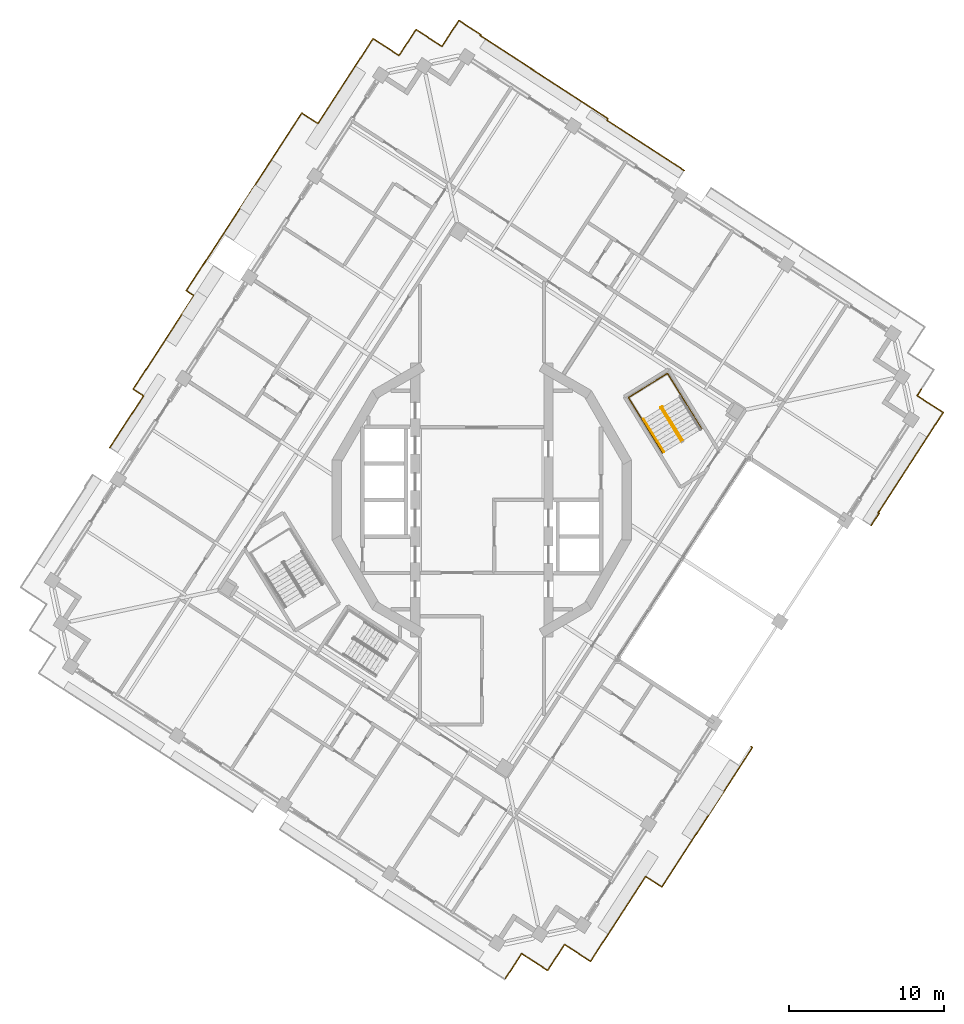
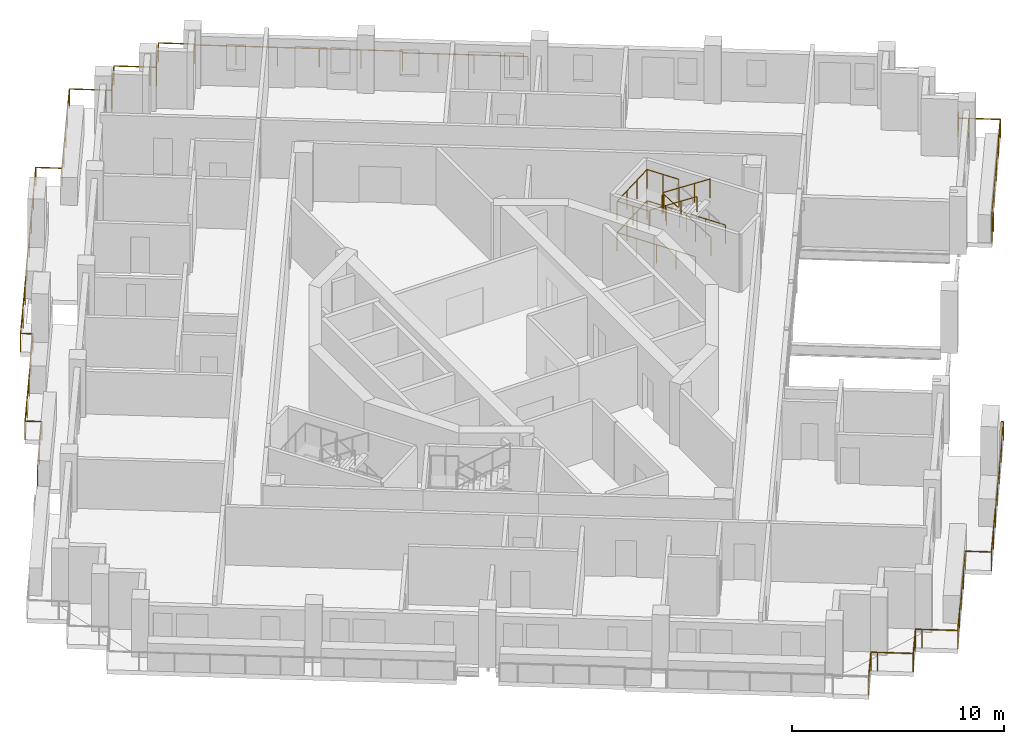
# One storey, part 15 of 17: 9 railings.
"""IFC4 building model written with IfcOpenShell, lengths in metres."""

import ifcopenshell
import ifcopenshell.guid

model = None  # the IFC model being written
_history = None  # IfcOwnerHistory: only IFC2X3 demands one
_inside = {}  # id of a spatial element -> (the spatial element, [elements in it])
_under = {}  # id of a project, library or spatial element -> (it, [spatial elements below it])
_declared = {}  # id of a project -> (the project, [libraries it declares])
_typed = {}  # id of a type object -> (the type object, [elements of that type])
_made_of = {}  # id of a material, layer set ... -> (it, [elements and type objects made of it])


def new_model(schema):
    """Start an empty IFC model of exactly this schema.

    Asked for "IFC4X3", IfcOpenShell would pick the latest addendum, in which some entities
    have other attributes; the version numbers below select the first issue.
    IFC2X3 requires an IfcOwnerHistory on every rooted entity: one is made here for all.
    """
    global model, _history
    if schema == "IFC4X3":
        model = ifcopenshell.file(schema_version=(4, 3, 0, 0))
    else:
        model = ifcopenshell.file(schema=schema)
    _inside.clear()
    _under.clear()
    _declared.clear()
    _typed.clear()
    _made_of.clear()
    _history = None
    if model.schema == "IFC2X3":
        org = make("IfcOrganization", Name="unknown")
        user = make(
            "IfcPersonAndOrganization",
            ThePerson=make("IfcPerson", FamilyName="unknown"),
            TheOrganization=org,
        )
        app = make(
            "IfcApplication",
            ApplicationDeveloper=org,
            Version="unknown",
            ApplicationFullName="unknown",
            ApplicationIdentifier="unknown",
        )
        _history = make(
            "IfcOwnerHistory",
            OwningUser=user,
            OwningApplication=app,
            ChangeAction="ADDED",
            CreationDate=0,
        )
    return model


def make(cls, **values):
    """One entity of the class cls with the attributes given. An attribute that is None is left unset."""
    return model.create_entity(
        cls, **{name: value for name, value in values.items() if value is not None}
    )


def rooted(cls, **values):
    """An entity with a GlobalId (a new one), such as an element, a storey or a relation."""
    return make(cls, GlobalId=ifcopenshell.guid.new(), OwnerHistory=_history, **values)


def si_unit(unit_type, name, prefix=None):
    """IfcSIUnit, for example si_unit("LENGTHUNIT", "METRE", prefix="MILLI")."""
    return make("IfcSIUnit", UnitType=unit_type, Prefix=prefix, Name=name)


def assignment(units):
    """IfcUnitAssignment: the units of a project."""
    return None if units is None else make("IfcUnitAssignment", Units=units)


def point(xyz):
    """IfcCartesianPoint."""
    return None if xyz is None else make("IfcCartesianPoint", Coordinates=xyz)


def direction(xyz):
    """IfcDirection."""
    return None if xyz is None else make("IfcDirection", DirectionRatios=xyz)


def frame(location, z_axis=None, x_axis=None):
    """IfcAxis2Placement3D, a coordinate frame: its origin and axes. An axis left out is left unset."""
    return make(
        "IfcAxis2Placement3D",
        Location=point(location),
        Axis=direction(z_axis),
        RefDirection=direction(x_axis),
    )


def frame_2d(location, x_axis=None):
    """IfcAxis2Placement2D, a coordinate frame in the plane: its origin and x axis."""
    return make(
        "IfcAxis2Placement2D", Location=point(location), RefDirection=direction(x_axis)
    )


def origin():
    """The frame at (0, 0, 0) with its axes left unset."""
    return frame((0.0, 0.0, 0.0))


def origin_2d():
    """The frame at (0, 0) in the plane with its x axis left unset."""
    return frame_2d((0.0, 0.0))


def place(relative_to, where):
    """IfcLocalPlacement: puts the frame where relative to a parent placement (None: the world)."""
    return make(
        "IfcLocalPlacement", PlacementRelTo=relative_to, RelativePlacement=where
    )


def context(
    kind, dimensions, precision=None, world=None, true_north=None, identifier=None
):
    """IfcGeometricRepresentationContext, for example the 3D "Model" context."""
    return make(
        "IfcGeometricRepresentationContext",
        ContextIdentifier=identifier,
        ContextType=kind,
        CoordinateSpaceDimension=dimensions,
        Precision=precision,
        WorldCoordinateSystem=world,
        TrueNorth=true_north,
    )


def subcontext(parent, identifier, kind, view, scale=None):
    """IfcGeometricRepresentationSubContext, for example "Body" below "Model"."""
    return make(
        "IfcGeometricRepresentationSubContext",
        ContextIdentifier=identifier,
        ContextType=kind,
        ParentContext=parent,
        TargetScale=scale,
        TargetView=view,
    )


def project(units=None, contexts=None):
    """IfcProject with its units and contexts."""
    return rooted(
        "IfcProject",
        Name="project",
        RepresentationContexts=contexts,
        UnitsInContext=assignment(units),
    )


def spatial(cls, under=None, at=None, **own):
    """A site, building, storey or space (cls), placed at a placement, below another one or the project."""
    s = rooted(cls, ObjectPlacement=at, **own)
    if under is not None:
        _under.setdefault(under.id(), (under, []))[1].append(s)
    return s


def profile(cls, at=None, kind="AREA", **sizes):
    """A parametric profile (cls). Its sizes go by their IFC names, for example OverallWidth=200.0."""
    return make(cls, ProfileType=kind, Position=at, **sizes)


def circle(**sizes):
    """IfcCircleProfileDef."""
    return profile("IfcCircleProfileDef", **sizes)


def extrude(swept, where, along, depth):
    """IfcExtrudedAreaSolid: the profile swept, set in the frame where, extruded along a direction by depth."""
    return make(
        "IfcExtrudedAreaSolid",
        SweptArea=swept,
        Position=where,
        ExtrudedDirection=direction(along),
        Depth=depth,
    )


def shape(context_of_items, identifier, shape_type, items):
    """IfcShapeRepresentation: the items that make up one representation, for example the "Body"."""
    return make(
        "IfcShapeRepresentation",
        ContextOfItems=context_of_items,
        RepresentationIdentifier=identifier,
        RepresentationType=shape_type,
        Items=items,
    )


def material(Name=None, Category=None):
    """IfcMaterial."""
    return make("IfcMaterial", Name=Name, Category=Category)


def made_of(thing, what):
    """Note that an element or type object is made of a material, layer set ...; save() writes the relation."""
    if what is not None:
        _made_of.setdefault(what.id(), (what, []))[1].append(thing)
    return thing


def type_object(cls, material=None, **own):
    """A type object (cls), such as IfcWallType, which elements share."""
    return made_of(rooted(cls, **own), material)


def element(
    cls,
    number,
    at=None,
    inside=None,
    cuts=None,
    type_object=None,
    material=None,
    context=None,
    identifier="Body",
    shape_type=None,
    held_by="IfcProductDefinitionShape",
    body=None,
    shapes=None,
    **own,
):
    """One element of the class cls, such as IfcWall. Its Tag is "e" and its number.

    at: its placement. inside: the storey or other place that contains it. cuts: it is an
    opening in that element (IfcRelVoidsElement). A single representation is given by context,
    identifier, shape_type and body (its items); several are given by shapes. held_by: the class
    of the entity that holds the representations. save() writes the other relations.
    """
    e = rooted(cls, Tag="e%d" % number, ObjectPlacement=at, **own)
    if body is not None:
        shapes = [shape(context, identifier, shape_type, body)]
    if shapes is not None:
        e.Representation = make(held_by, Representations=shapes)
    if inside is not None:
        _inside.setdefault(inside.id(), (inside, []))[1].append(e)
    if cuts is not None:
        rooted(
            "IfcRelVoidsElement", RelatingBuildingElement=cuts, RelatedOpeningElement=e
        )
    if type_object is not None:
        _typed.setdefault(type_object.id(), (type_object, []))[1].append(e)
    return made_of(e, material)


def aggregate(whole, parts):
    """IfcRelAggregates: a whole, such as a stair, and the parts it consists of."""
    return rooted("IfcRelAggregates", RelatingObject=whole, RelatedObjects=parts)


def save(model, path):
    """Write the relations noted so far, then the file.

    IfcRelAggregates (storeys below a building ...), IfcRelContainedInSpatialStructure (elements
    in a storey), IfcRelDefinesByType, IfcRelAssociatesMaterial and IfcRelDeclares: one each for
    every whole, place, type object, material and project.
    """
    for whole, parts in _under.values():
        aggregate(whole, parts)
    for where, things in _inside.values():
        rooted(
            "IfcRelContainedInSpatialStructure",
            RelatedElements=things,
            RelatingStructure=where,
        )
    for kind, things in _typed.values():
        rooted("IfcRelDefinesByType", RelatedObjects=things, RelatingType=kind)
    for what, things in _made_of.values():
        rooted("IfcRelAssociatesMaterial", RelatedObjects=things, RelatingMaterial=what)
    for by, libraries in _declared.values():
        rooted("IfcRelDeclares", RelatingContext=by, RelatedDefinitions=libraries)
    model.write(path)


model = new_model("IFC4")

# Units and contexts
model_context = context("Model", 3, precision=1e-05, world=origin(), true_north=direction((0.0, 1.0)))
body_context = subcontext(model_context, "Body", "Model", "MODEL_VIEW")
ifc_project = project(units=[si_unit("LENGTHUNIT", "METRE"), si_unit("AREAUNIT", "SQUARE_METRE"), si_unit("VOLUMEUNIT", "CUBIC_METRE"), si_unit("PLANEANGLEUNIT", "RADIAN"), si_unit("MASSUNIT", "GRAM", prefix="KILO")], contexts=[model_context])

# Site, building, storey
site_placement = place(None, origin())
site = spatial("IfcSite", under=ifc_project, at=site_placement, CompositionType="ELEMENT")
building_placement = place(site_placement, origin())
building = spatial("IfcBuilding", under=site, at=building_placement, Name="Cantera Rosa Tower", CompositionType="ELEMENT")
storey_placement = place(building_placement, frame((0.0, 0.0, 268.5)))
storey = spatial("IfcBuildingStorey", under=building, at=storey_placement, Name="L60", CompositionType="ELEMENT", Elevation=268.5)

# Railings
ifc_material_1 = material(Name="Stainless steel and laminated glass", Category="steel")
railing_type_1 = type_object("IfcRailingType", Name="GUARD 1100", PredefinedType="BALUSTRADE", material=ifc_material_1)
railing_1_placement = place(storey_placement, frame((-5.58984375, 28.8486328125, 0.0)))
element("IfcRailing", 1, at=railing_1_placement, inside=storey, type_object=railing_type_1, Name="GUARD L60-3", PredefinedType="BALUSTRADE", context=body_context, shape_type="SweptSolid", body=[
    extrude(circle(Radius=0.030029296875, at=origin_2d()), frame((0.0, 0.0, 1.070068359375), z_axis=(0.838499355694, -0.544902588084, 0.0), x_axis=(0.544902588084, 0.838499355694, 0.0)), (0.0, 0.0, 1.0), 0.30029296875),
    extrude(circle(Radius=0.030029296875, at=origin_2d()), frame((0.251708984375, -0.16357421875, 1.070068359375), z_axis=(0.5443304008, 0.838870916629, 0.0), x_axis=(-0.838870916629, 0.5443304008, 0.0)), (0.0, 0.0, 1.0), 0.300048828125),
    extrude(circle(Radius=0.030029296875, at=origin_2d()), frame((0.4150390625, 0.088134765625, 1.070068359375), z_axis=(0.544685462014, 0.838640416073, 0.0), x_axis=(-0.838640416073, 0.544685462014, 0.0)), (0.0, 0.0, 1.0), 1.7001953125),
    extrude(circle(Radius=0.030029296875, at=origin_2d()), frame((1.341064453125, 1.513916015625, 1.070068359375), z_axis=(0.83859780397, -0.544751065329, 0.0), x_axis=(0.544751065329, 0.83859780397, 0.0)), (0.0, 0.0, 1.0), 1.699951171875),
    extrude(circle(Radius=0.030029296875, at=origin_2d()), frame((2.7666015625, 0.587890625, 1.070068359375), z_axis=(0.838870916629, -0.5443304008, 0.0), x_axis=(0.5443304008, 0.838870916629, 0.0)), (0.0, 0.0, 1.0), 0.300048828125),
    extrude(circle(Radius=0.030029296875, at=origin_2d()), frame((3.018310546875, 0.424560546875, 1.070068359375), z_axis=(0.54468796124, 0.838638792855, 0.0), x_axis=(-0.838638792855, 0.54468796124, 0.0)), (0.0, 0.0, 1.0), 2.0),
    extrude(circle(Radius=0.030029296875, at=origin_2d()), frame((4.107666015625, 2.101806640625, 1.070068359375), z_axis=(0.838663412569, -0.54465005317, 0.0), x_axis=(0.54465005317, 0.838663412569, 0.0)), (0.0, 0.0, 1.0), 1.69970703125),
    extrude(circle(Radius=0.030029296875, at=origin_2d()), frame((5.533203125, 1.176025390625, 1.070068359375), z_axis=(-0.54339569987, -0.839476690184, 0.0), x_axis=(0.839476690184, -0.54339569987, 0.0)), (0.0, 0.0, 1.0), 0.070068359375),
    extrude(circle(Radius=0.030029296875, at=origin_2d()), frame((5.4951171875, 1.1171875, 1.070068359375), z_axis=(0.838672787013, -0.544635617935, 0.0), x_axis=(0.544635617935, 0.838672787013, 0.0)), (0.0, 0.0, 1.0), 9.830078125),
    extrude(circle(Radius=0.030029296875, at=origin_2d()), frame((13.7392578125, -4.236572265625, 1.070068359375), z_axis=(-0.545120486239, -0.83835771332, 0.0), x_axis=(0.83835771332, -0.545120486239, 0.0)), (0.0, 0.0, 1.0), 0.1298828125),
    extrude(circle(Radius=0.030029296875, at=origin_2d()), frame((13.66845703125, -4.345458984375, 1.070068359375), z_axis=(0.838664674471, -0.544648110062, 0.0), x_axis=(0.544648110062, 0.838664674471, 0.0)), (0.0, 0.0, 1.0), 5.0703125),
    extrude(circle(Radius=0.030029296875, at=origin_2d()), frame((17.920654296875, -7.10693359375, 1.070068359375), z_axis=(0.838725681888, -0.544554157584, 0.0), x_axis=(0.544554157584, 0.838725681888, 0.0)), (0.0, 0.0, 1.0), 0.869873046875),
    extrude(circle(Radius=0.02490234375, at=origin_2d()), origin(), (0.0, 0.0, 1.0), 1.0400390625),
    extrude(circle(Radius=0.02490234375, at=origin_2d()), frame((0.251708984375, -0.16357421875, 0.0)), (0.0, 0.0, 1.0), 1.0400390625),
    extrude(circle(Radius=0.02490234375, at=origin_2d()), frame((0.4150390625, 0.088134765625, 0.0)), (0.0, 0.0, 1.0), 1.0400390625),
    extrude(circle(Radius=0.02490234375, at=origin_2d()), frame((1.341064453125, 1.513916015625, 0.0)), (0.0, 0.0, 1.0), 1.0400390625),
    extrude(circle(Radius=0.02490234375, at=origin_2d()), frame((2.7666015625, 0.587890625, 0.0)), (0.0, 0.0, 1.0), 1.0400390625),
    extrude(circle(Radius=0.02490234375, at=origin_2d()), frame((3.018310546875, 0.424560546875, 0.0)), (0.0, 0.0, 1.0), 1.0400390625),
    extrude(circle(Radius=0.02490234375, at=origin_2d()), frame((4.107666015625, 2.101806640625, 0.0)), (0.0, 0.0, 1.0), 1.0400390625),
    extrude(circle(Radius=0.02490234375, at=origin_2d()), frame((5.533203125, 1.176025390625, 0.0)), (0.0, 0.0, 1.0), 1.0400390625),
    extrude(circle(Radius=0.02490234375, at=origin_2d()), frame((5.4951171875, 1.1171875, 0.0)), (0.0, 0.0, 1.0), 1.0400390625),
    extrude(circle(Radius=0.02490234375, at=origin_2d()), frame((7.14404296875, 0.04638671875, 0.0)), (0.0, 0.0, 1.0), 1.0400390625),
    extrude(circle(Radius=0.02490234375, at=origin_2d()), frame((8.792724609375, -1.0244140625, 0.0)), (0.0, 0.0, 1.0), 1.0400390625),
    extrude(circle(Radius=0.02490234375, at=origin_2d()), frame((10.441650390625, -2.094970703125, 0.0)), (0.0, 0.0, 1.0), 1.0400390625),
    extrude(circle(Radius=0.02490234375, at=origin_2d()), frame((12.09033203125, -3.165771484375, 0.0)), (0.0, 0.0, 1.0), 1.0400390625),
    extrude(circle(Radius=0.02490234375, at=origin_2d()), frame((13.7392578125, -4.236572265625, 0.0)), (0.0, 0.0, 1.0), 1.0400390625),
    extrude(circle(Radius=0.02490234375, at=origin_2d()), frame((13.66845703125, -4.345458984375, 0.0)), (0.0, 0.0, 1.0), 1.0400390625),
    extrude(circle(Radius=0.02490234375, at=origin_2d()), frame((15.0859375, -5.265869140625, 0.0)), (0.0, 0.0, 1.0), 1.0400390625),
    extrude(circle(Radius=0.02490234375, at=origin_2d()), frame((16.503173828125, -6.1865234375, 0.0)), (0.0, 0.0, 1.0), 1.0400390625),
    extrude(circle(Radius=0.02490234375, at=origin_2d()), frame((17.920654296875, -7.10693359375, 0.0)), (0.0, 0.0, 1.0), 1.0400390625),
    extrude(circle(Radius=0.02490234375, at=origin_2d()), frame((18.650146484375, -7.58056640625, 0.0)), (0.0, 0.0, 1.0), 1.0400390625),
])
railing_2_placement = place(storey_placement, frame((-24.00390625, 3.37841796875, 0.0)))
element("IfcRailing", 2, at=railing_2_placement, inside=storey, type_object=railing_type_1, Name="GUARD L60-4", PredefinedType="BALUSTRADE", context=body_context, shape_type="SweptSolid", body=[
    extrude(circle(Radius=0.030029296875, at=origin_2d()), frame((0.0, 0.0, 1.070068359375), z_axis=(0.544618301385, 0.838684032158, 0.0), x_axis=(-0.838684032158, 0.544618301385, 0.0)), (0.0, 0.0, 1.0), 3.9892578125),
    extrude(circle(Radius=0.030029296875, at=origin_2d()), frame((2.172607421875, 3.345703125, 1.070068359375), z_axis=(-0.838697885351, 0.54459696759, 0.0), x_axis=(-0.54459696759, -0.838697885351, 0.0)), (0.0, 0.0, 1.0), 0.78955078125),
    extrude(circle(Radius=0.030029296875, at=origin_2d()), frame((1.510498046875, 3.775634765625, 1.070068359375), z_axis=(0.544649472572, 0.838663789624, 0.0), x_axis=(-0.838663789624, 0.544649472572, 0.0)), (0.0, 0.0, 1.0), 7.192626953125),
    extrude(circle(Radius=0.030029296875, at=origin_2d()), frame((5.427978515625, 9.807861328125, 1.070068359375), z_axis=(-0.838766340753, 0.544491529429, 0.0), x_axis=(-0.544491529429, -0.838766340753, 0.0)), (0.0, 0.0, 1.0), 0.58740234375),
    extrude(circle(Radius=0.030029296875, at=origin_2d()), frame((4.935302734375, 10.127685546875, 1.070068359375), z_axis=(0.544641318497, 0.838669085031, 0.0), x_axis=(-0.838669085031, 0.544641318497, 0.0)), (0.0, 0.0, 1.0), 13.676513671875),
    extrude(circle(Radius=0.030029296875, at=origin_2d()), frame((12.384033203125, 21.59765625, 1.070068359375), z_axis=(0.838729508859, -0.544548263214, 0.0), x_axis=(0.544548263214, 0.838729508859, 0.0)), (0.0, 0.0, 1.0), 1.248046875),
    extrude(circle(Radius=0.030029296875, at=origin_2d()), frame((13.430908203125, 20.91796875, 1.070068359375), z_axis=(0.544643753579, 0.838667503655, 0.0), x_axis=(-0.838667503655, 0.544643753579, 0.0)), (0.0, 0.0, 1.0), 4.831787109375),
    extrude(circle(Radius=0.030029296875, at=origin_2d()), frame((16.0625, 24.97021484375, 1.070068359375), z_axis=(0.544584451758, 0.838706012202, 0.0), x_axis=(-0.838706012202, 0.544584451758, 0.0)), (0.0, 0.0, 1.0), 1.699951171875),
    extrude(circle(Radius=0.030029296875, at=origin_2d()), frame((16.98828125, 26.39599609375, 1.070068359375), z_axis=(0.838706012202, -0.544584451758, 0.0), x_axis=(0.544584451758, 0.838706012202, 0.0)), (0.0, 0.0, 1.0), 1.699951171875),
    extrude(circle(Radius=0.02490234375, at=origin_2d()), origin(), (0.0, 0.0, 1.0), 1.0400390625),
    extrude(circle(Radius=0.02490234375, at=origin_2d()), frame((1.08642578125, 1.6728515625, 0.0)), (0.0, 0.0, 1.0), 1.0400390625),
    extrude(circle(Radius=0.02490234375, at=origin_2d()), frame((2.172607421875, 3.345703125, 0.0)), (0.0, 0.0, 1.0), 1.0400390625),
    extrude(circle(Radius=0.02490234375, at=origin_2d()), frame((1.510498046875, 3.775634765625, 0.0)), (0.0, 0.0, 1.0), 1.0400390625),
    extrude(circle(Radius=0.02490234375, at=origin_2d()), frame((2.48974609375, 5.28369140625, 0.0)), (0.0, 0.0, 1.0), 1.0400390625),
    extrude(circle(Radius=0.02490234375, at=origin_2d()), frame((3.46923828125, 6.791748046875, 0.0)), (0.0, 0.0, 1.0), 1.0400390625),
    extrude(circle(Radius=0.02490234375, at=origin_2d()), frame((4.44873046875, 8.2998046875, 0.0)), (0.0, 0.0, 1.0), 1.0400390625),
    extrude(circle(Radius=0.02490234375, at=origin_2d()), frame((5.427978515625, 9.807861328125, 0.0)), (0.0, 0.0, 1.0), 1.0400390625),
    extrude(circle(Radius=0.02490234375, at=origin_2d()), frame((4.935302734375, 10.127685546875, 0.0)), (0.0, 0.0, 1.0), 1.0400390625),
    extrude(circle(Radius=0.02490234375, at=origin_2d()), frame((5.99951171875, 11.766357421875, 0.0)), (0.0, 0.0, 1.0), 1.0400390625),
    extrude(circle(Radius=0.02490234375, at=origin_2d()), frame((7.0634765625, 13.40478515625, 0.0)), (0.0, 0.0, 1.0), 1.0400390625),
    extrude(circle(Radius=0.02490234375, at=origin_2d()), frame((8.127685546875, 15.04345703125, 0.0)), (0.0, 0.0, 1.0), 1.0400390625),
    extrude(circle(Radius=0.02490234375, at=origin_2d()), frame((9.191650390625, 16.681884765625, 0.0)), (0.0, 0.0, 1.0), 1.0400390625),
    extrude(circle(Radius=0.02490234375, at=origin_2d()), frame((10.255859375, 18.320556640625, 0.0)), (0.0, 0.0, 1.0), 1.0400390625),
    extrude(circle(Radius=0.02490234375, at=origin_2d()), frame((11.31982421875, 19.958984375, 0.0)), (0.0, 0.0, 1.0), 1.0400390625),
    extrude(circle(Radius=0.02490234375, at=origin_2d()), frame((12.384033203125, 21.59765625, 0.0)), (0.0, 0.0, 1.0), 1.0400390625),
    extrude(circle(Radius=0.02490234375, at=origin_2d()), frame((13.430908203125, 20.91796875, 0.0)), (0.0, 0.0, 1.0), 1.0400390625),
    extrude(circle(Radius=0.02490234375, at=origin_2d()), frame((14.30810546875, 22.268798828125, 0.0)), (0.0, 0.0, 1.0), 1.0400390625),
    extrude(circle(Radius=0.02490234375, at=origin_2d()), frame((15.185302734375, 23.619384765625, 0.0)), (0.0, 0.0, 1.0), 1.0400390625),
    extrude(circle(Radius=0.02490234375, at=origin_2d()), frame((16.0625, 24.97021484375, 0.0)), (0.0, 0.0, 1.0), 1.0400390625),
    extrude(circle(Radius=0.02490234375, at=origin_2d()), frame((16.98828125, 26.39599609375, 0.0)), (0.0, 0.0, 1.0), 1.0400390625),
    extrude(circle(Radius=0.02490234375, at=origin_2d()), frame((18.4140625, 25.47021484375, 0.0)), (0.0, 0.0, 1.0), 1.0400390625),
])
railing_3_placement = place(storey_placement, frame((17.36376953125, -15.914306640625, 0.0)))
element("IfcRailing", 3, at=railing_3_placement, inside=storey, type_object=railing_type_1, Name="GUARD L60-6", PredefinedType="BALUSTRADE", context=body_context, shape_type="SweptSolid", body=[
    extrude(circle(Radius=0.030029296875, at=origin_2d()), frame((0.0, 0.0, 1.070068359375), z_axis=(0.838349249797, -0.545133502331, 0.0), x_axis=(0.545133502331, 0.838349249797, 0.0)), (0.0, 0.0, 1.0), 0.1181640625),
    extrude(circle(Radius=0.030029296875, at=origin_2d()), frame((0.09912109375, -0.064453125, 1.070068359375), z_axis=(-0.544645149011, -0.838666597438, 0.0), x_axis=(0.838666597438, -0.544645149011, 0.0)), (0.0, 0.0, 1.0), 10.72802734375),
    extrude(circle(Radius=0.030029296875, at=origin_2d()), frame((-5.743896484375, -9.061767578125, 1.070068359375), z_axis=(-0.838729508859, 0.544548263214, 0.0), x_axis=(-0.544548263214, -0.838729508859, 0.0)), (0.0, 0.0, 1.0), 1.248046875),
    extrude(circle(Radius=0.030029296875, at=origin_2d()), frame((-6.790771484375, -8.382080078125, 1.070068359375), z_axis=(-0.544643753579, -0.838667503655, 0.0), x_axis=(0.838667503655, -0.544643753579, 0.0)), (0.0, 0.0, 1.0), 4.831787109375),
    extrude(circle(Radius=0.030029296875, at=origin_2d()), frame((-9.42236328125, -12.434326171875, 1.070068359375), z_axis=(-0.544584451758, -0.838706012202, 0.0), x_axis=(0.838706012202, -0.544584451758, 0.0)), (0.0, 0.0, 1.0), 1.699951171875),
    extrude(circle(Radius=0.030029296875, at=origin_2d()), frame((-10.34814453125, -13.860107421875, 1.070068359375), z_axis=(-0.838706012202, 0.544584451758, 0.0), x_axis=(-0.544584451758, -0.838706012202, 0.0)), (0.0, 0.0, 1.0), 1.699951171875),
    extrude(circle(Radius=0.030029296875, at=origin_2d()), frame((-11.77392578125, -12.934326171875, 1.070068359375), z_axis=(-0.838499355694, 0.544902588084, 0.0), x_axis=(-0.544902588084, -0.838499355694, 0.0)), (0.0, 0.0, 1.0), 0.30029296875),
    extrude(circle(Radius=0.030029296875, at=origin_2d()), frame((-12.025634765625, -12.770751953125, 1.070068359375), z_axis=(-0.5443304008, -0.838870916629, 0.0), x_axis=(0.838870916629, -0.5443304008, 0.0)), (0.0, 0.0, 1.0), 0.300048828125),
    extrude(circle(Radius=0.030029296875, at=origin_2d()), frame((-12.18896484375, -13.0224609375, 1.070068359375), z_axis=(-0.544685462014, -0.838640416073, 0.0), x_axis=(0.838640416073, -0.544685462014, 0.0)), (0.0, 0.0, 1.0), 1.7001953125),
    extrude(circle(Radius=0.030029296875, at=origin_2d()), frame((-13.114990234375, -14.4482421875, 1.070068359375), z_axis=(-0.83859780397, 0.544751065329, 0.0), x_axis=(-0.544751065329, -0.83859780397, 0.0)), (0.0, 0.0, 1.0), 1.699951171875),
    extrude(circle(Radius=0.030029296875, at=origin_2d()), frame((-14.54052734375, -13.522216796875, 1.070068359375), z_axis=(-0.838870916629, 0.5443304008, 0.0), x_axis=(-0.5443304008, -0.838870916629, 0.0)), (0.0, 0.0, 1.0), 0.300048828125),
    extrude(circle(Radius=0.030029296875, at=origin_2d()), frame((-14.792236328125, -13.35888671875, 1.070068359375), z_axis=(-0.54468796124, -0.838638792855, 0.0), x_axis=(0.838638792855, -0.54468796124, 0.0)), (0.0, 0.0, 1.0), 2.0),
    extrude(circle(Radius=0.02490234375, at=origin_2d()), origin(), (0.0, 0.0, 1.0), 1.0400390625),
    extrude(circle(Radius=0.02490234375, at=origin_2d()), frame((0.09912109375, -0.064453125, 0.0)), (0.0, 0.0, 1.0), 1.0400390625),
    extrude(circle(Radius=0.02490234375, at=origin_2d()), frame((-0.874755859375, -1.56396484375, 0.0)), (0.0, 0.0, 1.0), 1.0400390625),
    extrude(circle(Radius=0.02490234375, at=origin_2d()), frame((-1.8486328125, -3.0634765625, 0.0)), (0.0, 0.0, 1.0), 1.0400390625),
    extrude(circle(Radius=0.02490234375, at=origin_2d()), frame((-2.822265625, -4.56298828125, 0.0)), (0.0, 0.0, 1.0), 1.0400390625),
    extrude(circle(Radius=0.02490234375, at=origin_2d()), frame((-3.796142578125, -6.062744140625, 0.0)), (0.0, 0.0, 1.0), 1.0400390625),
    extrude(circle(Radius=0.02490234375, at=origin_2d()), frame((-4.77001953125, -7.562255859375, 0.0)), (0.0, 0.0, 1.0), 1.0400390625),
    extrude(circle(Radius=0.02490234375, at=origin_2d()), frame((-5.743896484375, -9.061767578125, 0.0)), (0.0, 0.0, 1.0), 1.0400390625),
    extrude(circle(Radius=0.02490234375, at=origin_2d()), frame((-6.790771484375, -8.382080078125, 0.0)), (0.0, 0.0, 1.0), 1.0400390625),
    extrude(circle(Radius=0.02490234375, at=origin_2d()), frame((-7.66796875, -9.73291015625, 0.0)), (0.0, 0.0, 1.0), 1.0400390625),
    extrude(circle(Radius=0.02490234375, at=origin_2d()), frame((-8.545166015625, -11.08349609375, 0.0)), (0.0, 0.0, 1.0), 1.0400390625),
    extrude(circle(Radius=0.02490234375, at=origin_2d()), frame((-9.42236328125, -12.434326171875, 0.0)), (0.0, 0.0, 1.0), 1.0400390625),
    extrude(circle(Radius=0.02490234375, at=origin_2d()), frame((-10.34814453125, -13.860107421875, 0.0)), (0.0, 0.0, 1.0), 1.0400390625),
    extrude(circle(Radius=0.02490234375, at=origin_2d()), frame((-11.77392578125, -12.934326171875, 0.0)), (0.0, 0.0, 1.0), 1.0400390625),
    extrude(circle(Radius=0.02490234375, at=origin_2d()), frame((-12.025634765625, -12.770751953125, 0.0)), (0.0, 0.0, 1.0), 1.0400390625),
    extrude(circle(Radius=0.02490234375, at=origin_2d()), frame((-12.18896484375, -13.0224609375, 0.0)), (0.0, 0.0, 1.0), 1.0400390625),
    extrude(circle(Radius=0.02490234375, at=origin_2d()), frame((-13.114990234375, -14.4482421875, 0.0)), (0.0, 0.0, 1.0), 1.0400390625),
    extrude(circle(Radius=0.02490234375, at=origin_2d()), frame((-14.54052734375, -13.522216796875, 0.0)), (0.0, 0.0, 1.0), 1.0400390625),
    extrude(circle(Radius=0.02490234375, at=origin_2d()), frame((-14.792236328125, -13.35888671875, 0.0)), (0.0, 0.0, 1.0), 1.0400390625),
    extrude(circle(Radius=0.02490234375, at=origin_2d()), frame((-15.881591796875, -15.0361328125, 0.0)), (0.0, 0.0, 1.0), 1.0400390625),
])
railing_4_placement = place(storey_placement, frame((28.3720703125, 7.151123046875, 0.0)))
element("IfcRailing", 4, at=railing_4_placement, inside=storey, type_object=railing_type_1, Name="GUARD L60-7", PredefinedType="BALUSTRADE", context=body_context, shape_type="SweptSolid", body=[
    extrude(circle(Radius=0.030029296875, at=origin_2d()), frame((0.0, 0.0, 1.070068359375), z_axis=(-0.544627753175, -0.83867789435, 0.0), x_axis=(0.83867789435, -0.544627753175, 0.0)), (0.0, 0.0, 1.0), 0.499755859375),
    extrude(circle(Radius=0.030029296875, at=origin_2d()), frame((-0.272216796875, -0.419189453125, 1.070068359375), z_axis=(0.838454772945, -0.544971186143, 0.0), x_axis=(0.544971186143, 0.838454772945, 0.0)), (0.0, 0.0, 1.0), 0.5),
    extrude(circle(Radius=0.030029296875, at=origin_2d()), frame((0.14697265625, -0.691650390625, 1.070068359375), z_axis=(0.8387001057, -0.544593548161, 0.0), x_axis=(0.544593548161, 0.8387001057, 0.0)), (0.0, 0.0, 1.0), 1.5),
    extrude(circle(Radius=0.030029296875, at=origin_2d()), frame((1.405029296875, -1.508544921875, 1.070068359375), z_axis=(-0.544593548161, -0.8387001057, 0.0), x_axis=(0.8387001057, -0.544593548161, 0.0)), (0.0, 0.0, 1.0), 1.5),
    extrude(circle(Radius=0.030029296875, at=origin_2d()), frame((0.588134765625, -2.7666015625, 1.070068359375), z_axis=(-0.544651062083, -0.838662757354, 0.0), x_axis=(0.838662757354, -0.544651062083, 0.0)), (0.0, 0.0, 1.0), 6.208740234375),
    extrude(circle(Radius=0.030029296875, at=origin_2d()), frame((-2.79345703125, -7.9736328125, 1.070068359375), z_axis=(0.839844835389, -0.542826539947, 0.0), x_axis=(0.542826539947, 0.839844835389, 0.0)), (0.0, 0.0, 1.0), 0.071533203125),
    extrude(circle(Radius=0.030029296875, at=origin_2d()), frame((-2.7333984375, -8.012451171875, 1.070068359375), z_axis=(-0.544605442853, -0.838692381994, 0.0), x_axis=(0.838692381994, -0.544605442853, 0.0)), (0.0, 0.0, 1.0), 0.94140625),
    extrude(circle(Radius=0.02490234375, at=origin_2d()), origin(), (0.0, 0.0, 1.0), 1.0400390625),
    extrude(circle(Radius=0.02490234375, at=origin_2d()), frame((-0.272216796875, -0.419189453125, 0.0)), (0.0, 0.0, 1.0), 1.0400390625),
    extrude(circle(Radius=0.02490234375, at=origin_2d()), frame((0.14697265625, -0.691650390625, 0.0)), (0.0, 0.0, 1.0), 1.0400390625),
    extrude(circle(Radius=0.02490234375, at=origin_2d()), frame((1.405029296875, -1.508544921875, 0.0)), (0.0, 0.0, 1.0), 1.0400390625),
    extrude(circle(Radius=0.02490234375, at=origin_2d()), frame((0.588134765625, -2.7666015625, 0.0)), (0.0, 0.0, 1.0), 1.0400390625),
    extrude(circle(Radius=0.02490234375, at=origin_2d()), frame((-0.5390625, -4.502197265625, 0.0)), (0.0, 0.0, 1.0), 1.0400390625),
    extrude(circle(Radius=0.02490234375, at=origin_2d()), frame((-1.666259765625, -6.238037109375, 0.0)), (0.0, 0.0, 1.0), 1.0400390625),
    extrude(circle(Radius=0.02490234375, at=origin_2d()), frame((-2.79345703125, -7.9736328125, 0.0)), (0.0, 0.0, 1.0), 1.0400390625),
    extrude(circle(Radius=0.02490234375, at=origin_2d()), frame((-2.7333984375, -8.012451171875, 0.0)), (0.0, 0.0, 1.0), 1.0400390625),
    extrude(circle(Radius=0.02490234375, at=origin_2d()), frame((-3.24609375, -8.802001953125, 0.0)), (0.0, 0.0, 1.0), 1.0400390625),
])
ifc_material_2 = material(Name="Steel S355J2 (EN 10025-2)", Category="steel")
railing_type_2 = type_object("IfcRailingType", Name="STAIR GUARD 1100", PredefinedType="GUARDRAIL", material=ifc_material_2)
railing_5_placement = place(storey_placement, frame((12.9765625, 3.834228515625, 0.179931640625)))
element("IfcRailing", 5, at=railing_5_placement, inside=storey, type_object=railing_type_2, Name="L60 ST-51 stair guard 1", PredefinedType="GUARDRAIL", context=body_context, shape_type="SweptSolid", body=[
    extrude(circle(Radius=0.02392578125, at=origin_2d()), frame((0.0, 0.0, 1.076171875), z_axis=(-0.44154346381, 0.715939337315, 0.540805172729), x_axis=(-0.851145618652, -0.524929648476, 0.0)), (0.0, 0.0, 1.0), 2.995849609375),
    extrude(circle(Radius=0.02392578125, at=origin_2d()), frame((-1.32275390625, 2.144775390625, 2.6962890625), z_axis=(-0.073711968402, 0.997279572494, 0.0), x_axis=(-0.997279572494, -0.073711968402, 0.0)), (0.0, 0.0, 1.0), 0.056396484375),
    extrude(circle(Radius=0.02392578125, at=origin_2d()), frame((-1.326904296875, 2.200927734375, 2.6962890625), z_axis=(-0.851546489876, -0.524279100842, 0.0), x_axis=(0.524279100842, -0.851546489876, 0.0)), (0.0, 0.0, 1.0), 0.14990234375),
    extrude(circle(Radius=0.02099609375, at=origin_2d()), origin(), (0.0, 0.0, 1.0), 1.052001953125),
    extrude(circle(Radius=0.02099609375, at=origin_2d()), frame((-0.44091796875, 0.71484375, 0.5400390625)), (0.0, 0.0, 1.0), 1.052001953125),
    extrude(circle(Radius=0.02099609375, at=origin_2d()), frame((-0.8818359375, 1.429931640625, 1.080078125)), (0.0, 0.0, 1.0), 1.052001953125),
    extrude(circle(Radius=0.02099609375, at=origin_2d()), frame((-1.32275390625, 2.144775390625, 1.6201171875)), (0.0, 0.0, 1.0), 1.052001953125),
    extrude(circle(Radius=0.02099609375, at=origin_2d()), frame((-1.326904296875, 2.200927734375, 1.6201171875)), (0.0, 0.0, 1.0), 1.052001953125),
    extrude(circle(Radius=0.02099609375, at=origin_2d()), frame((-1.45458984375, 2.122314453125, 1.6201171875)), (0.0, 0.0, 1.0), 1.052001953125),
])
railing_6_placement = place(storey_placement, frame((11.5703125, 5.927490234375, 1.97998046875)))
element("IfcRailing", 6, at=railing_6_placement, inside=storey, type_object=railing_type_2, Name="L60 ST-51 stair guard 2", PredefinedType="GUARDRAIL", context=body_context, shape_type="SweptSolid", body=[
    extrude(circle(Radius=0.02392578125, at=origin_2d()), frame((0.0, 0.0, 1.076171875), z_axis=(0.441609067481, -0.715913574058, 0.540785711718), x_axis=(0.851102330005, 0.524999832248, 0.0)), (0.0, 0.0, 1.0), 2.995849609375),
    extrude(circle(Radius=0.02099609375, at=origin_2d()), origin(), (0.0, 0.0, 1.0), 1.052001953125),
    extrude(circle(Radius=0.02099609375, at=origin_2d()), frame((0.44091796875, -0.71484375, 0.5400390625)), (0.0, 0.0, 1.0), 1.052001953125),
    extrude(circle(Radius=0.02099609375, at=origin_2d()), frame((0.882080078125, -1.429931640625, 1.080078125)), (0.0, 0.0, 1.0), 1.052001953125),
    extrude(circle(Radius=0.02099609375, at=origin_2d()), frame((1.322998046875, -2.144775390625, 1.6201171875)), (0.0, 0.0, 1.0), 1.052001953125),
])
railing_7_placement = place(storey_placement, frame((14.192626953125, 4.59814453125, 0.0)))
element("IfcRailing", 7, at=railing_7_placement, inside=storey, type_object=railing_type_2, Name="L60 ST-51 stair guard 4", PredefinedType="GUARDRAIL", context=body_context, shape_type="SweptSolid", body=[
    extrude(circle(Radius=0.02392578125, at=origin_2d()), frame((0.0, 0.0, 1.076171875), z_axis=(-0.524976478809, 0.851116735059, 0.0), x_axis=(-0.851116735059, -0.524976478809, 0.0)), (0.0, 0.0, 1.0), 4.197998046875),
    extrude(circle(Radius=0.02392578125, at=origin_2d()), frame((-2.203857421875, 3.572998046875, 1.076171875), z_axis=(-0.851132917336, -0.524950242429, 0.0), x_axis=(0.524950242429, -0.851132917336, 0.0)), (0.0, 0.0, 1.0), 2.969970703125),
    extrude(circle(Radius=0.02392578125, at=origin_2d()), frame((-4.731689453125, 2.013916015625, 1.076171875), z_axis=(0.524976478809, -0.851116735059, 0.0), x_axis=(0.851116735059, 0.524976478809, 0.0)), (0.0, 0.0, 1.0), 4.197998046875),
    extrude(circle(Radius=0.02099609375, at=origin_2d()), origin(), (0.0, 0.0, 1.0), 1.052001953125),
    extrude(circle(Radius=0.02099609375, at=origin_2d()), frame((-0.551025390625, 0.893310546875, 0.0)), (0.0, 0.0, 1.0), 1.052001953125),
    extrude(circle(Radius=0.02099609375, at=origin_2d()), frame((-1.10205078125, 1.78662109375, 0.0)), (0.0, 0.0, 1.0), 1.052001953125),
    extrude(circle(Radius=0.02099609375, at=origin_2d()), frame((-1.65283203125, 2.6796875, 0.0)), (0.0, 0.0, 1.0), 1.052001953125),
    extrude(circle(Radius=0.02099609375, at=origin_2d()), frame((-2.203857421875, 3.572998046875, 0.0)), (0.0, 0.0, 1.0), 1.052001953125),
    extrude(circle(Radius=0.02099609375, at=origin_2d()), frame((-3.04638671875, 3.05322265625, 0.0)), (0.0, 0.0, 1.0), 1.052001953125),
    extrude(circle(Radius=0.02099609375, at=origin_2d()), frame((-3.88916015625, 2.53369140625, 0.0)), (0.0, 0.0, 1.0), 1.052001953125),
    extrude(circle(Radius=0.02099609375, at=origin_2d()), frame((-4.731689453125, 2.013916015625, 0.0)), (0.0, 0.0, 1.0), 1.052001953125),
    extrude(circle(Radius=0.02099609375, at=origin_2d()), frame((-4.1806640625, 1.12060546875, 0.0)), (0.0, 0.0, 1.0), 1.052001953125),
    extrude(circle(Radius=0.02099609375, at=origin_2d()), frame((-3.6298828125, 0.2275390625, 0.0)), (0.0, 0.0, 1.0), 1.052001953125),
    extrude(circle(Radius=0.02099609375, at=origin_2d()), frame((-3.078857421875, -0.665771484375, 0.0)), (0.0, 0.0, 1.0), 1.052001953125),
    extrude(circle(Radius=0.02099609375, at=origin_2d()), frame((-2.52783203125, -1.55908203125, 0.0)), (0.0, 0.0, 1.0), 1.052001953125),
])
railing_8_placement = place(storey_placement, frame((12.88232421875, 6.72265625, 1.800048828125)))
element("IfcRailing", 8, at=railing_8_placement, inside=storey, type_object=railing_type_2, Name="L60 ST-51 stair guard 5", PredefinedType="GUARDRAIL", context=body_context, shape_type="SweptSolid", body=[
    extrude(circle(Radius=0.02392578125, at=origin_2d()), frame((0.0, 0.0, 1.076171875), z_axis=(-0.525025534833, 0.851086474909, 0.0), x_axis=(-0.851086474909, -0.525025534833, 0.0)), (0.0, 0.0, 1.0), 1.701904296875),
    extrude(circle(Radius=0.02392578125, at=origin_2d()), frame((-0.8935546875, 1.448486328125, 1.076171875), z_axis=(-0.851132917336, -0.524950242429, 0.0), x_axis=(0.524950242429, -0.851132917336, 0.0)), (0.0, 0.0, 1.0), 2.969970703125),
    extrude(circle(Radius=0.02392578125, at=origin_2d()), frame((-3.42138671875, -0.110595703125, 1.076171875), z_axis=(0.524961441845, -0.851126009811, 0.0), x_axis=(0.851126009811, 0.524961441845, 0.0)), (0.0, 0.0, 1.0), 1.7021484375),
    extrude(circle(Radius=0.02099609375, at=origin_2d()), origin(), (0.0, 0.0, 1.0), 1.052001953125),
    extrude(circle(Radius=0.02099609375, at=origin_2d()), frame((-0.44677734375, 0.72412109375, 0.0)), (0.0, 0.0, 1.0), 1.052001953125),
    extrude(circle(Radius=0.02099609375, at=origin_2d()), frame((-0.8935546875, 1.448486328125, 0.0)), (0.0, 0.0, 1.0), 1.052001953125),
    extrude(circle(Radius=0.02099609375, at=origin_2d()), frame((-1.736083984375, 0.9287109375, 0.0)), (0.0, 0.0, 1.0), 1.052001953125),
    extrude(circle(Radius=0.02099609375, at=origin_2d()), frame((-2.578857421875, 0.4091796875, 0.0)), (0.0, 0.0, 1.0), 1.052001953125),
    extrude(circle(Radius=0.02099609375, at=origin_2d()), frame((-3.42138671875, -0.110595703125, 0.0)), (0.0, 0.0, 1.0), 1.052001953125),
    extrude(circle(Radius=0.02099609375, at=origin_2d()), frame((-2.974609375, -0.8349609375, 0.0)), (0.0, 0.0, 1.0), 1.052001953125),
    extrude(circle(Radius=0.02099609375, at=origin_2d()), frame((-2.52783203125, -1.559326171875, 0.0)), (0.0, 0.0, 1.0), 1.052001953125),
])
ifc_material_3 = material(Name="Steel S355J2 (EN 10025-2)", Category="steel")
railing_type_3 = type_object("IfcRailingType", Name="STAIR HANDRAIL 900", PredefinedType="HANDRAIL", material=ifc_material_3)
railing_9_placement = place(storey_placement, frame((10.441650390625, 5.2314453125, 1.97998046875)))
element("IfcRailing", 9, at=railing_9_placement, inside=storey, type_object=railing_type_3, Name="L60 ST-51 stair handrail 2", PredefinedType="HANDRAIL", context=body_context, shape_type="SweptSolid", body=[
    extrude(circle(Radius=0.02392578125, at=origin_2d()), frame((0.0, 0.0, 0.8759765625), z_axis=(0.441609067481, -0.715913574058, 0.540785711718), x_axis=(0.851102330005, 0.524999832248, 0.0)), (0.0, 0.0, 1.0), 2.995849609375),
    extrude(circle(Radius=0.02099609375, at=origin_2d()), origin(), (0.0, 0.0, 1.0), 0.851806640625),
    extrude(circle(Radius=0.02099609375, at=origin_2d()), frame((0.44091796875, -0.71484375, 0.5400390625)), (0.0, 0.0, 1.0), 0.851806640625),
    extrude(circle(Radius=0.02099609375, at=origin_2d()), frame((0.882080078125, -1.429931640625, 1.080078125)), (0.0, 0.0, 1.0), 0.851806640625),
    extrude(circle(Radius=0.02099609375, at=origin_2d()), frame((1.322998046875, -2.144775390625, 1.6201171875)), (0.0, 0.0, 1.0), 0.851806640625),
])

save(model, "model.ifc")
